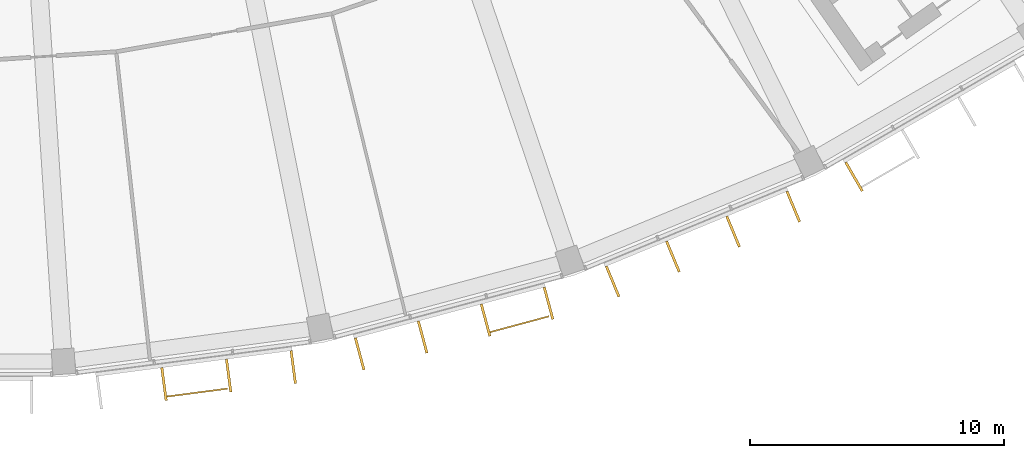
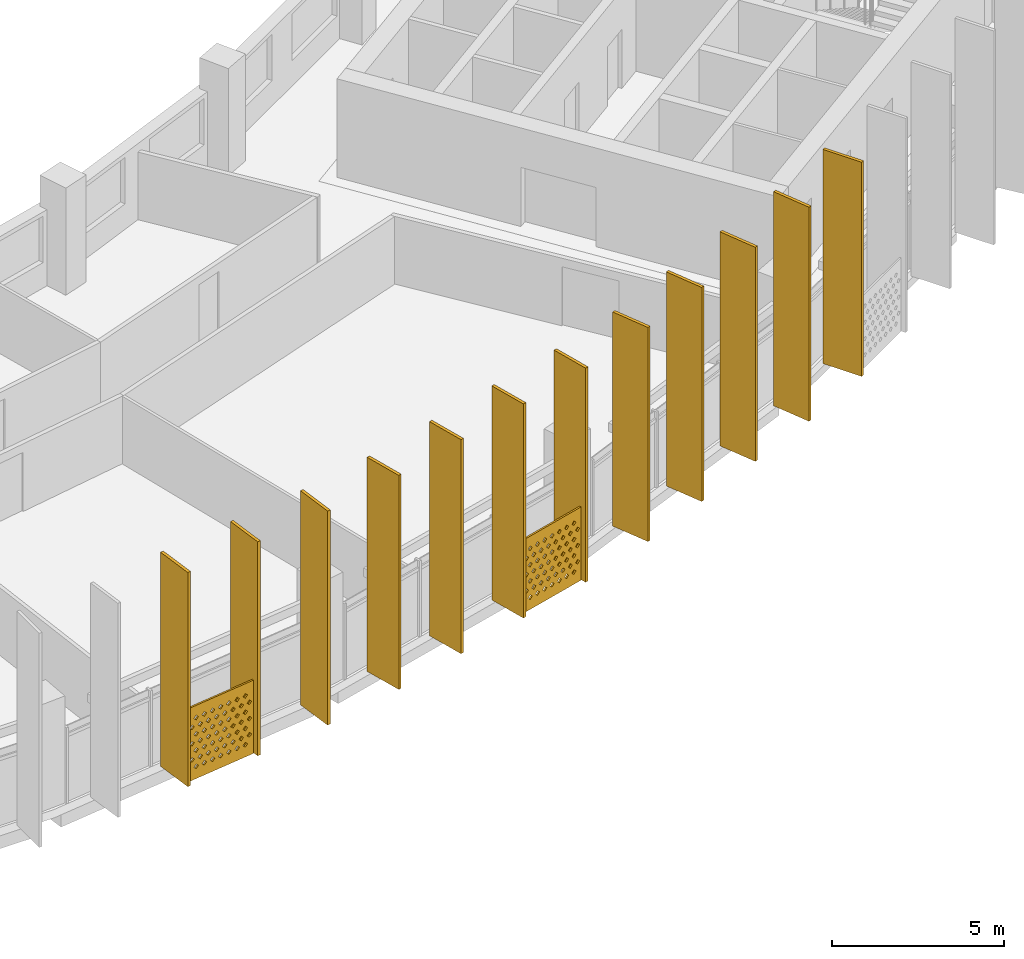
# One storey, part 26 of 28: 14 shading devices.
"""IFC4 building model written with IfcOpenShell, lengths in metres."""

from ifc_helpers import new_model, si_unit, direction, frame, origin, origin_2d, place, context, subcontext, project, spatial, polyline, rectangle, outline, extrude, material, material_profile, profile_set, type_object, element, save


model = new_model("IFC4")

# Units and contexts
model_context = context("Model", 3, precision=1e-05, world=origin(), true_north=direction((0.0, 1.0)))
body_context = subcontext(model_context, "Body", "Model", "MODEL_VIEW")
ifc_project = project(units=[si_unit("LENGTHUNIT", "METRE"), si_unit("AREAUNIT", "SQUARE_METRE"), si_unit("VOLUMEUNIT", "CUBIC_METRE"), si_unit("PLANEANGLEUNIT", "RADIAN"), si_unit("MASSUNIT", "GRAM", prefix="KILO")], contexts=[model_context])

# Site, building, storey
site_placement = place(None, origin())
site = spatial("IfcSite", under=ifc_project, at=site_placement, CompositionType="ELEMENT")
building_placement = place(site_placement, origin())
building = spatial("IfcBuilding", under=site, at=building_placement, Name="Qamariyya Broadcast Tower", CompositionType="ELEMENT")
storey_placement = place(building_placement, frame((0.0, 0.0, 265.699951171875)))
storey = spatial("IfcBuildingStorey", under=building, at=storey_placement, Name="L64", CompositionType="ELEMENT", Elevation=265.699951171875)

# Shading devices
ifc_material_1 = material(Name="Perforated glazed terracotta", Category="masonry")
ifc_material_profile_1 = material_profile(ifc_material_1, outline(polyline([(-1.199951171875, -1.300048828125), (1.199951171875, -1.300048828125), (1.199951171875, 1.300048828125), (-1.199951171875, 1.300048828125), (-1.199951171875, -1.300048828125)]), holes=[polyline([(-0.81494140625, -0.86669921875), (-0.89990234375, -0.78173828125), (-0.985107421875, -0.86669921875), (-0.89990234375, -0.95166015625), (-0.81494140625, -0.86669921875)]), polyline([(-0.514892578125, -0.86669921875), (-0.60009765625, -0.78173828125), (-0.68505859375, -0.86669921875), (-0.60009765625, -0.95166015625), (-0.514892578125, -0.86669921875)]), polyline([(-0.215087890625, -0.86669921875), (-0.300048828125, -0.78173828125), (-0.385009765625, -0.86669921875), (-0.300048828125, -0.95166015625), (-0.215087890625, -0.86669921875)]), polyline([(0.0849609375, -0.86669921875), (0.0, -0.78173828125), (-0.0849609375, -0.86669921875), (0.0, -0.95166015625), (0.0849609375, -0.86669921875)]), polyline([(0.385009765625, -0.86669921875), (0.300048828125, -0.78173828125), (0.215087890625, -0.86669921875), (0.300048828125, -0.95166015625), (0.385009765625, -0.86669921875)]), polyline([(0.68505859375, -0.86669921875), (0.60009765625, -0.78173828125), (0.514892578125, -0.86669921875), (0.60009765625, -0.95166015625), (0.68505859375, -0.86669921875)]), polyline([(0.985107421875, -0.86669921875), (0.89990234375, -0.78173828125), (0.81494140625, -0.86669921875), (0.89990234375, -0.95166015625), (0.985107421875, -0.86669921875)]), polyline([(-0.965087890625, -0.577880859375), (-1.050048828125, -0.49267578125), (-1.135009765625, -0.577880859375), (-1.050048828125, -0.662841796875), (-0.965087890625, -0.577880859375)]), polyline([(-0.6650390625, -0.577880859375), (-0.75, -0.49267578125), (-0.8349609375, -0.577880859375), (-0.75, -0.662841796875), (-0.6650390625, -0.577880859375)]), polyline([(-0.364990234375, -0.577880859375), (-0.449951171875, -0.49267578125), (-0.534912109375, -0.577880859375), (-0.449951171875, -0.662841796875), (-0.364990234375, -0.577880859375)]), polyline([(-0.06494140625, -0.577880859375), (-0.14990234375, -0.49267578125), (-0.235107421875, -0.577880859375), (-0.14990234375, -0.662841796875), (-0.06494140625, -0.577880859375)]), polyline([(0.235107421875, -0.577880859375), (0.14990234375, -0.49267578125), (0.06494140625, -0.577880859375), (0.14990234375, -0.662841796875), (0.235107421875, -0.577880859375)]), polyline([(0.534912109375, -0.577880859375), (0.449951171875, -0.49267578125), (0.364990234375, -0.577880859375), (0.449951171875, -0.662841796875), (0.534912109375, -0.577880859375)]), polyline([(0.8349609375, -0.577880859375), (0.75, -0.49267578125), (0.6650390625, -0.577880859375), (0.75, -0.662841796875), (0.8349609375, -0.577880859375)]), polyline([(1.135009765625, -0.577880859375), (1.050048828125, -0.49267578125), (0.965087890625, -0.577880859375), (1.050048828125, -0.662841796875), (1.135009765625, -0.577880859375)]), polyline([(-0.81494140625, -0.288818359375), (-0.89990234375, -0.203857421875), (-0.985107421875, -0.288818359375), (-0.89990234375, -0.373779296875), (-0.81494140625, -0.288818359375)]), polyline([(-0.514892578125, -0.288818359375), (-0.60009765625, -0.203857421875), (-0.68505859375, -0.288818359375), (-0.60009765625, -0.373779296875), (-0.514892578125, -0.288818359375)]), polyline([(-0.215087890625, -0.288818359375), (-0.300048828125, -0.203857421875), (-0.385009765625, -0.288818359375), (-0.300048828125, -0.373779296875), (-0.215087890625, -0.288818359375)]), polyline([(0.0849609375, -0.288818359375), (0.0, -0.203857421875), (-0.0849609375, -0.288818359375), (0.0, -0.373779296875), (0.0849609375, -0.288818359375)]), polyline([(0.385009765625, -0.288818359375), (0.300048828125, -0.203857421875), (0.215087890625, -0.288818359375), (0.300048828125, -0.373779296875), (0.385009765625, -0.288818359375)]), polyline([(0.68505859375, -0.288818359375), (0.60009765625, -0.203857421875), (0.514892578125, -0.288818359375), (0.60009765625, -0.373779296875), (0.68505859375, -0.288818359375)]), polyline([(0.985107421875, -0.288818359375), (0.89990234375, -0.203857421875), (0.81494140625, -0.288818359375), (0.89990234375, -0.373779296875), (0.985107421875, -0.288818359375)]), polyline([(-0.965087890625, 0.0), (-1.050048828125, 0.0849609375), (-1.135009765625, 0.0), (-1.050048828125, -0.0849609375), (-0.965087890625, 0.0)]), polyline([(-0.6650390625, 0.0), (-0.75, 0.0849609375), (-0.8349609375, 0.0), (-0.75, -0.0849609375), (-0.6650390625, 0.0)]), polyline([(-0.364990234375, 0.0), (-0.449951171875, 0.0849609375), (-0.534912109375, 0.0), (-0.449951171875, -0.0849609375), (-0.364990234375, 0.0)]), polyline([(-0.06494140625, 0.0), (-0.14990234375, 0.0849609375), (-0.235107421875, 0.0), (-0.14990234375, -0.0849609375), (-0.06494140625, 0.0)]), polyline([(0.235107421875, 0.0), (0.14990234375, 0.0849609375), (0.06494140625, 0.0), (0.14990234375, -0.0849609375), (0.235107421875, 0.0)]), polyline([(0.534912109375, 0.0), (0.449951171875, 0.0849609375), (0.364990234375, 0.0), (0.449951171875, -0.0849609375), (0.534912109375, 0.0)]), polyline([(0.8349609375, 0.0), (0.75, 0.0849609375), (0.6650390625, 0.0), (0.75, -0.0849609375), (0.8349609375, 0.0)]), polyline([(1.135009765625, 0.0), (1.050048828125, 0.0849609375), (0.965087890625, 0.0), (1.050048828125, -0.0849609375), (1.135009765625, 0.0)]), polyline([(-0.81494140625, 0.288818359375), (-0.89990234375, 0.373779296875), (-0.985107421875, 0.288818359375), (-0.89990234375, 0.203857421875), (-0.81494140625, 0.288818359375)]), polyline([(-0.514892578125, 0.288818359375), (-0.60009765625, 0.373779296875), (-0.68505859375, 0.288818359375), (-0.60009765625, 0.203857421875), (-0.514892578125, 0.288818359375)]), polyline([(-0.215087890625, 0.288818359375), (-0.300048828125, 0.373779296875), (-0.385009765625, 0.288818359375), (-0.300048828125, 0.203857421875), (-0.215087890625, 0.288818359375)]), polyline([(0.0849609375, 0.288818359375), (0.0, 0.373779296875), (-0.0849609375, 0.288818359375), (0.0, 0.203857421875), (0.0849609375, 0.288818359375)]), polyline([(0.385009765625, 0.288818359375), (0.300048828125, 0.373779296875), (0.215087890625, 0.288818359375), (0.300048828125, 0.203857421875), (0.385009765625, 0.288818359375)]), polyline([(0.68505859375, 0.288818359375), (0.60009765625, 0.373779296875), (0.514892578125, 0.288818359375), (0.60009765625, 0.203857421875), (0.68505859375, 0.288818359375)]), polyline([(0.985107421875, 0.288818359375), (0.89990234375, 0.373779296875), (0.81494140625, 0.288818359375), (0.89990234375, 0.203857421875), (0.985107421875, 0.288818359375)]), polyline([(-0.965087890625, 0.577880859375), (-1.050048828125, 0.662841796875), (-1.135009765625, 0.577880859375), (-1.050048828125, 0.49267578125), (-0.965087890625, 0.577880859375)]), polyline([(-0.6650390625, 0.577880859375), (-0.75, 0.662841796875), (-0.8349609375, 0.577880859375), (-0.75, 0.49267578125), (-0.6650390625, 0.577880859375)]), polyline([(-0.364990234375, 0.577880859375), (-0.449951171875, 0.662841796875), (-0.534912109375, 0.577880859375), (-0.449951171875, 0.49267578125), (-0.364990234375, 0.577880859375)]), polyline([(-0.06494140625, 0.577880859375), (-0.14990234375, 0.662841796875), (-0.235107421875, 0.577880859375), (-0.14990234375, 0.49267578125), (-0.06494140625, 0.577880859375)]), polyline([(0.235107421875, 0.577880859375), (0.14990234375, 0.662841796875), (0.06494140625, 0.577880859375), (0.14990234375, 0.49267578125), (0.235107421875, 0.577880859375)]), polyline([(0.534912109375, 0.577880859375), (0.449951171875, 0.662841796875), (0.364990234375, 0.577880859375), (0.449951171875, 0.49267578125), (0.534912109375, 0.577880859375)]), polyline([(0.8349609375, 0.577880859375), (0.75, 0.662841796875), (0.6650390625, 0.577880859375), (0.75, 0.49267578125), (0.8349609375, 0.577880859375)]), polyline([(1.135009765625, 0.577880859375), (1.050048828125, 0.662841796875), (0.965087890625, 0.577880859375), (1.050048828125, 0.49267578125), (1.135009765625, 0.577880859375)]), polyline([(-0.81494140625, 0.86669921875), (-0.89990234375, 0.95166015625), (-0.985107421875, 0.86669921875), (-0.89990234375, 0.78173828125), (-0.81494140625, 0.86669921875)]), polyline([(-0.514892578125, 0.86669921875), (-0.60009765625, 0.95166015625), (-0.68505859375, 0.86669921875), (-0.60009765625, 0.78173828125), (-0.514892578125, 0.86669921875)]), polyline([(-0.215087890625, 0.86669921875), (-0.300048828125, 0.95166015625), (-0.385009765625, 0.86669921875), (-0.300048828125, 0.78173828125), (-0.215087890625, 0.86669921875)]), polyline([(0.0849609375, 0.86669921875), (0.0, 0.95166015625), (-0.0849609375, 0.86669921875), (0.0, 0.78173828125), (0.0849609375, 0.86669921875)]), polyline([(0.385009765625, 0.86669921875), (0.300048828125, 0.95166015625), (0.215087890625, 0.86669921875), (0.300048828125, 0.78173828125), (0.385009765625, 0.86669921875)]), polyline([(0.68505859375, 0.86669921875), (0.60009765625, 0.95166015625), (0.514892578125, 0.86669921875), (0.60009765625, 0.78173828125), (0.68505859375, 0.86669921875)]), polyline([(0.985107421875, 0.86669921875), (0.89990234375, 0.95166015625), (0.81494140625, 0.86669921875), (0.89990234375, 0.78173828125), (0.985107421875, 0.86669921875)])]))
ifc_profile_set_1 = profile_set([ifc_material_profile_1], Name="Perforated glazed terracotta")
shading_device_type_1 = type_object("IfcShadingDeviceType", Name="Perforated terracotta screen 2400 x 2600", PredefinedType="USERDEFINED", material=ifc_profile_set_1)
shading_device_1_placement = place(storey_placement, frame((10.33984375, -78.776611328125, 1.35009765625), z_axis=(0.1300340368, -0.991509530601, 0.0), x_axis=(0.991509530601, 0.1300340368, 0.0)))
element("IfcShadingDevice", 1, at=shading_device_1_placement, inside=storey, type_object=shading_device_type_1, Name="e-scr-L64-08-1", ObjectType="SCREEN", PredefinedType="USERDEFINED", context=body_context, shape_type="SweptSolid", body=[
    extrude(outline(polyline([(-1.199951171875, -1.300048828125), (1.199951171875, -1.300048828125), (1.199951171875, 1.300048828125), (-1.199951171875, 1.300048828125), (-1.199951171875, -1.300048828125)]), holes=[polyline([(-0.81494140625, -0.86669921875), (-0.89990234375, -0.78173828125), (-0.985107421875, -0.86669921875), (-0.89990234375, -0.95166015625), (-0.81494140625, -0.86669921875)]), polyline([(-0.514892578125, -0.86669921875), (-0.60009765625, -0.78173828125), (-0.68505859375, -0.86669921875), (-0.60009765625, -0.95166015625), (-0.514892578125, -0.86669921875)]), polyline([(-0.215087890625, -0.86669921875), (-0.300048828125, -0.78173828125), (-0.385009765625, -0.86669921875), (-0.300048828125, -0.95166015625), (-0.215087890625, -0.86669921875)]), polyline([(0.0849609375, -0.86669921875), (0.0, -0.78173828125), (-0.0849609375, -0.86669921875), (0.0, -0.95166015625), (0.0849609375, -0.86669921875)]), polyline([(0.385009765625, -0.86669921875), (0.300048828125, -0.78173828125), (0.215087890625, -0.86669921875), (0.300048828125, -0.95166015625), (0.385009765625, -0.86669921875)]), polyline([(0.68505859375, -0.86669921875), (0.60009765625, -0.78173828125), (0.514892578125, -0.86669921875), (0.60009765625, -0.95166015625), (0.68505859375, -0.86669921875)]), polyline([(0.985107421875, -0.86669921875), (0.89990234375, -0.78173828125), (0.81494140625, -0.86669921875), (0.89990234375, -0.95166015625), (0.985107421875, -0.86669921875)]), polyline([(-0.965087890625, -0.577880859375), (-1.050048828125, -0.49267578125), (-1.135009765625, -0.577880859375), (-1.050048828125, -0.662841796875), (-0.965087890625, -0.577880859375)]), polyline([(-0.6650390625, -0.577880859375), (-0.75, -0.49267578125), (-0.8349609375, -0.577880859375), (-0.75, -0.662841796875), (-0.6650390625, -0.577880859375)]), polyline([(-0.364990234375, -0.577880859375), (-0.449951171875, -0.49267578125), (-0.534912109375, -0.577880859375), (-0.449951171875, -0.662841796875), (-0.364990234375, -0.577880859375)]), polyline([(-0.06494140625, -0.577880859375), (-0.14990234375, -0.49267578125), (-0.235107421875, -0.577880859375), (-0.14990234375, -0.662841796875), (-0.06494140625, -0.577880859375)]), polyline([(0.235107421875, -0.577880859375), (0.14990234375, -0.49267578125), (0.06494140625, -0.577880859375), (0.14990234375, -0.662841796875), (0.235107421875, -0.577880859375)]), polyline([(0.534912109375, -0.577880859375), (0.449951171875, -0.49267578125), (0.364990234375, -0.577880859375), (0.449951171875, -0.662841796875), (0.534912109375, -0.577880859375)]), polyline([(0.8349609375, -0.577880859375), (0.75, -0.49267578125), (0.6650390625, -0.577880859375), (0.75, -0.662841796875), (0.8349609375, -0.577880859375)]), polyline([(1.135009765625, -0.577880859375), (1.050048828125, -0.49267578125), (0.965087890625, -0.577880859375), (1.050048828125, -0.662841796875), (1.135009765625, -0.577880859375)]), polyline([(-0.81494140625, -0.288818359375), (-0.89990234375, -0.203857421875), (-0.985107421875, -0.288818359375), (-0.89990234375, -0.373779296875), (-0.81494140625, -0.288818359375)]), polyline([(-0.514892578125, -0.288818359375), (-0.60009765625, -0.203857421875), (-0.68505859375, -0.288818359375), (-0.60009765625, -0.373779296875), (-0.514892578125, -0.288818359375)]), polyline([(-0.215087890625, -0.288818359375), (-0.300048828125, -0.203857421875), (-0.385009765625, -0.288818359375), (-0.300048828125, -0.373779296875), (-0.215087890625, -0.288818359375)]), polyline([(0.0849609375, -0.288818359375), (0.0, -0.203857421875), (-0.0849609375, -0.288818359375), (0.0, -0.373779296875), (0.0849609375, -0.288818359375)]), polyline([(0.385009765625, -0.288818359375), (0.300048828125, -0.203857421875), (0.215087890625, -0.288818359375), (0.300048828125, -0.373779296875), (0.385009765625, -0.288818359375)]), polyline([(0.68505859375, -0.288818359375), (0.60009765625, -0.203857421875), (0.514892578125, -0.288818359375), (0.60009765625, -0.373779296875), (0.68505859375, -0.288818359375)]), polyline([(0.985107421875, -0.288818359375), (0.89990234375, -0.203857421875), (0.81494140625, -0.288818359375), (0.89990234375, -0.373779296875), (0.985107421875, -0.288818359375)]), polyline([(-0.965087890625, 0.0), (-1.050048828125, 0.0849609375), (-1.135009765625, 0.0), (-1.050048828125, -0.0849609375), (-0.965087890625, 0.0)]), polyline([(-0.6650390625, 0.0), (-0.75, 0.0849609375), (-0.8349609375, 0.0), (-0.75, -0.0849609375), (-0.6650390625, 0.0)]), polyline([(-0.364990234375, 0.0), (-0.449951171875, 0.0849609375), (-0.534912109375, 0.0), (-0.449951171875, -0.0849609375), (-0.364990234375, 0.0)]), polyline([(-0.06494140625, 0.0), (-0.14990234375, 0.0849609375), (-0.235107421875, 0.0), (-0.14990234375, -0.0849609375), (-0.06494140625, 0.0)]), polyline([(0.235107421875, 0.0), (0.14990234375, 0.0849609375), (0.06494140625, 0.0), (0.14990234375, -0.0849609375), (0.235107421875, 0.0)]), polyline([(0.534912109375, 0.0), (0.449951171875, 0.0849609375), (0.364990234375, 0.0), (0.449951171875, -0.0849609375), (0.534912109375, 0.0)]), polyline([(0.8349609375, 0.0), (0.75, 0.0849609375), (0.6650390625, 0.0), (0.75, -0.0849609375), (0.8349609375, 0.0)]), polyline([(1.135009765625, 0.0), (1.050048828125, 0.0849609375), (0.965087890625, 0.0), (1.050048828125, -0.0849609375), (1.135009765625, 0.0)]), polyline([(-0.81494140625, 0.288818359375), (-0.89990234375, 0.373779296875), (-0.985107421875, 0.288818359375), (-0.89990234375, 0.203857421875), (-0.81494140625, 0.288818359375)]), polyline([(-0.514892578125, 0.288818359375), (-0.60009765625, 0.373779296875), (-0.68505859375, 0.288818359375), (-0.60009765625, 0.203857421875), (-0.514892578125, 0.288818359375)]), polyline([(-0.215087890625, 0.288818359375), (-0.300048828125, 0.373779296875), (-0.385009765625, 0.288818359375), (-0.300048828125, 0.203857421875), (-0.215087890625, 0.288818359375)]), polyline([(0.0849609375, 0.288818359375), (0.0, 0.373779296875), (-0.0849609375, 0.288818359375), (0.0, 0.203857421875), (0.0849609375, 0.288818359375)]), polyline([(0.385009765625, 0.288818359375), (0.300048828125, 0.373779296875), (0.215087890625, 0.288818359375), (0.300048828125, 0.203857421875), (0.385009765625, 0.288818359375)]), polyline([(0.68505859375, 0.288818359375), (0.60009765625, 0.373779296875), (0.514892578125, 0.288818359375), (0.60009765625, 0.203857421875), (0.68505859375, 0.288818359375)]), polyline([(0.985107421875, 0.288818359375), (0.89990234375, 0.373779296875), (0.81494140625, 0.288818359375), (0.89990234375, 0.203857421875), (0.985107421875, 0.288818359375)]), polyline([(-0.965087890625, 0.577880859375), (-1.050048828125, 0.662841796875), (-1.135009765625, 0.577880859375), (-1.050048828125, 0.49267578125), (-0.965087890625, 0.577880859375)]), polyline([(-0.6650390625, 0.577880859375), (-0.75, 0.662841796875), (-0.8349609375, 0.577880859375), (-0.75, 0.49267578125), (-0.6650390625, 0.577880859375)]), polyline([(-0.364990234375, 0.577880859375), (-0.449951171875, 0.662841796875), (-0.534912109375, 0.577880859375), (-0.449951171875, 0.49267578125), (-0.364990234375, 0.577880859375)]), polyline([(-0.06494140625, 0.577880859375), (-0.14990234375, 0.662841796875), (-0.235107421875, 0.577880859375), (-0.14990234375, 0.49267578125), (-0.06494140625, 0.577880859375)]), polyline([(0.235107421875, 0.577880859375), (0.14990234375, 0.662841796875), (0.06494140625, 0.577880859375), (0.14990234375, 0.49267578125), (0.235107421875, 0.577880859375)]), polyline([(0.534912109375, 0.577880859375), (0.449951171875, 0.662841796875), (0.364990234375, 0.577880859375), (0.449951171875, 0.49267578125), (0.534912109375, 0.577880859375)]), polyline([(0.8349609375, 0.577880859375), (0.75, 0.662841796875), (0.6650390625, 0.577880859375), (0.75, 0.49267578125), (0.8349609375, 0.577880859375)]), polyline([(1.135009765625, 0.577880859375), (1.050048828125, 0.662841796875), (0.965087890625, 0.577880859375), (1.050048828125, 0.49267578125), (1.135009765625, 0.577880859375)]), polyline([(-0.81494140625, 0.86669921875), (-0.89990234375, 0.95166015625), (-0.985107421875, 0.86669921875), (-0.89990234375, 0.78173828125), (-0.81494140625, 0.86669921875)]), polyline([(-0.514892578125, 0.86669921875), (-0.60009765625, 0.95166015625), (-0.68505859375, 0.86669921875), (-0.60009765625, 0.78173828125), (-0.514892578125, 0.86669921875)]), polyline([(-0.215087890625, 0.86669921875), (-0.300048828125, 0.95166015625), (-0.385009765625, 0.86669921875), (-0.300048828125, 0.78173828125), (-0.215087890625, 0.86669921875)]), polyline([(0.0849609375, 0.86669921875), (0.0, 0.95166015625), (-0.0849609375, 0.86669921875), (0.0, 0.78173828125), (0.0849609375, 0.86669921875)]), polyline([(0.385009765625, 0.86669921875), (0.300048828125, 0.95166015625), (0.215087890625, 0.86669921875), (0.300048828125, 0.78173828125), (0.385009765625, 0.86669921875)]), polyline([(0.68505859375, 0.86669921875), (0.60009765625, 0.95166015625), (0.514892578125, 0.86669921875), (0.60009765625, 0.78173828125), (0.68505859375, 0.86669921875)]), polyline([(0.985107421875, 0.86669921875), (0.89990234375, 0.95166015625), (0.81494140625, 0.86669921875), (0.89990234375, 0.78173828125), (0.985107421875, 0.86669921875)])]), origin(), (0.0, 0.0, 1.0), 0.06005859375),
])
shading_device_2_placement = place(storey_placement, frame((23.008544921875, -76.08984375, 1.35009765625), z_axis=(0.259682438219, -0.965694067125, 0.0), x_axis=(0.965694067125, 0.259682438219, 0.0)))
element("IfcShadingDevice", 2, at=shading_device_2_placement, inside=storey, type_object=shading_device_type_1, Name="e-scr-L64-09-2", ObjectType="SCREEN", PredefinedType="USERDEFINED", context=body_context, shape_type="SweptSolid", body=[
    extrude(outline(polyline([(-1.199951171875, -1.300048828125), (1.199951171875, -1.300048828125), (1.199951171875, 1.300048828125), (-1.199951171875, 1.300048828125), (-1.199951171875, -1.300048828125)]), holes=[polyline([(-0.81494140625, -0.86669921875), (-0.89990234375, -0.78173828125), (-0.985107421875, -0.86669921875), (-0.89990234375, -0.95166015625), (-0.81494140625, -0.86669921875)]), polyline([(-0.514892578125, -0.86669921875), (-0.60009765625, -0.78173828125), (-0.68505859375, -0.86669921875), (-0.60009765625, -0.95166015625), (-0.514892578125, -0.86669921875)]), polyline([(-0.215087890625, -0.86669921875), (-0.300048828125, -0.78173828125), (-0.385009765625, -0.86669921875), (-0.300048828125, -0.95166015625), (-0.215087890625, -0.86669921875)]), polyline([(0.0849609375, -0.86669921875), (0.0, -0.78173828125), (-0.0849609375, -0.86669921875), (0.0, -0.95166015625), (0.0849609375, -0.86669921875)]), polyline([(0.385009765625, -0.86669921875), (0.300048828125, -0.78173828125), (0.215087890625, -0.86669921875), (0.300048828125, -0.95166015625), (0.385009765625, -0.86669921875)]), polyline([(0.68505859375, -0.86669921875), (0.60009765625, -0.78173828125), (0.514892578125, -0.86669921875), (0.60009765625, -0.95166015625), (0.68505859375, -0.86669921875)]), polyline([(0.985107421875, -0.86669921875), (0.89990234375, -0.78173828125), (0.81494140625, -0.86669921875), (0.89990234375, -0.95166015625), (0.985107421875, -0.86669921875)]), polyline([(-0.965087890625, -0.577880859375), (-1.050048828125, -0.49267578125), (-1.135009765625, -0.577880859375), (-1.050048828125, -0.662841796875), (-0.965087890625, -0.577880859375)]), polyline([(-0.6650390625, -0.577880859375), (-0.75, -0.49267578125), (-0.8349609375, -0.577880859375), (-0.75, -0.662841796875), (-0.6650390625, -0.577880859375)]), polyline([(-0.364990234375, -0.577880859375), (-0.449951171875, -0.49267578125), (-0.534912109375, -0.577880859375), (-0.449951171875, -0.662841796875), (-0.364990234375, -0.577880859375)]), polyline([(-0.06494140625, -0.577880859375), (-0.14990234375, -0.49267578125), (-0.235107421875, -0.577880859375), (-0.14990234375, -0.662841796875), (-0.06494140625, -0.577880859375)]), polyline([(0.235107421875, -0.577880859375), (0.14990234375, -0.49267578125), (0.06494140625, -0.577880859375), (0.14990234375, -0.662841796875), (0.235107421875, -0.577880859375)]), polyline([(0.534912109375, -0.577880859375), (0.449951171875, -0.49267578125), (0.364990234375, -0.577880859375), (0.449951171875, -0.662841796875), (0.534912109375, -0.577880859375)]), polyline([(0.8349609375, -0.577880859375), (0.75, -0.49267578125), (0.6650390625, -0.577880859375), (0.75, -0.662841796875), (0.8349609375, -0.577880859375)]), polyline([(1.135009765625, -0.577880859375), (1.050048828125, -0.49267578125), (0.965087890625, -0.577880859375), (1.050048828125, -0.662841796875), (1.135009765625, -0.577880859375)]), polyline([(-0.81494140625, -0.288818359375), (-0.89990234375, -0.203857421875), (-0.985107421875, -0.288818359375), (-0.89990234375, -0.373779296875), (-0.81494140625, -0.288818359375)]), polyline([(-0.514892578125, -0.288818359375), (-0.60009765625, -0.203857421875), (-0.68505859375, -0.288818359375), (-0.60009765625, -0.373779296875), (-0.514892578125, -0.288818359375)]), polyline([(-0.215087890625, -0.288818359375), (-0.300048828125, -0.203857421875), (-0.385009765625, -0.288818359375), (-0.300048828125, -0.373779296875), (-0.215087890625, -0.288818359375)]), polyline([(0.0849609375, -0.288818359375), (0.0, -0.203857421875), (-0.0849609375, -0.288818359375), (0.0, -0.373779296875), (0.0849609375, -0.288818359375)]), polyline([(0.385009765625, -0.288818359375), (0.300048828125, -0.203857421875), (0.215087890625, -0.288818359375), (0.300048828125, -0.373779296875), (0.385009765625, -0.288818359375)]), polyline([(0.68505859375, -0.288818359375), (0.60009765625, -0.203857421875), (0.514892578125, -0.288818359375), (0.60009765625, -0.373779296875), (0.68505859375, -0.288818359375)]), polyline([(0.985107421875, -0.288818359375), (0.89990234375, -0.203857421875), (0.81494140625, -0.288818359375), (0.89990234375, -0.373779296875), (0.985107421875, -0.288818359375)]), polyline([(-0.965087890625, 0.0), (-1.050048828125, 0.0849609375), (-1.135009765625, 0.0), (-1.050048828125, -0.0849609375), (-0.965087890625, 0.0)]), polyline([(-0.6650390625, 0.0), (-0.75, 0.0849609375), (-0.8349609375, 0.0), (-0.75, -0.0849609375), (-0.6650390625, 0.0)]), polyline([(-0.364990234375, 0.0), (-0.449951171875, 0.0849609375), (-0.534912109375, 0.0), (-0.449951171875, -0.0849609375), (-0.364990234375, 0.0)]), polyline([(-0.06494140625, 0.0), (-0.14990234375, 0.0849609375), (-0.235107421875, 0.0), (-0.14990234375, -0.0849609375), (-0.06494140625, 0.0)]), polyline([(0.235107421875, 0.0), (0.14990234375, 0.0849609375), (0.06494140625, 0.0), (0.14990234375, -0.0849609375), (0.235107421875, 0.0)]), polyline([(0.534912109375, 0.0), (0.449951171875, 0.0849609375), (0.364990234375, 0.0), (0.449951171875, -0.0849609375), (0.534912109375, 0.0)]), polyline([(0.8349609375, 0.0), (0.75, 0.0849609375), (0.6650390625, 0.0), (0.75, -0.0849609375), (0.8349609375, 0.0)]), polyline([(1.135009765625, 0.0), (1.050048828125, 0.0849609375), (0.965087890625, 0.0), (1.050048828125, -0.0849609375), (1.135009765625, 0.0)]), polyline([(-0.81494140625, 0.288818359375), (-0.89990234375, 0.373779296875), (-0.985107421875, 0.288818359375), (-0.89990234375, 0.203857421875), (-0.81494140625, 0.288818359375)]), polyline([(-0.514892578125, 0.288818359375), (-0.60009765625, 0.373779296875), (-0.68505859375, 0.288818359375), (-0.60009765625, 0.203857421875), (-0.514892578125, 0.288818359375)]), polyline([(-0.215087890625, 0.288818359375), (-0.300048828125, 0.373779296875), (-0.385009765625, 0.288818359375), (-0.300048828125, 0.203857421875), (-0.215087890625, 0.288818359375)]), polyline([(0.0849609375, 0.288818359375), (0.0, 0.373779296875), (-0.0849609375, 0.288818359375), (0.0, 0.203857421875), (0.0849609375, 0.288818359375)]), polyline([(0.385009765625, 0.288818359375), (0.300048828125, 0.373779296875), (0.215087890625, 0.288818359375), (0.300048828125, 0.203857421875), (0.385009765625, 0.288818359375)]), polyline([(0.68505859375, 0.288818359375), (0.60009765625, 0.373779296875), (0.514892578125, 0.288818359375), (0.60009765625, 0.203857421875), (0.68505859375, 0.288818359375)]), polyline([(0.985107421875, 0.288818359375), (0.89990234375, 0.373779296875), (0.81494140625, 0.288818359375), (0.89990234375, 0.203857421875), (0.985107421875, 0.288818359375)]), polyline([(-0.965087890625, 0.577880859375), (-1.050048828125, 0.662841796875), (-1.135009765625, 0.577880859375), (-1.050048828125, 0.49267578125), (-0.965087890625, 0.577880859375)]), polyline([(-0.6650390625, 0.577880859375), (-0.75, 0.662841796875), (-0.8349609375, 0.577880859375), (-0.75, 0.49267578125), (-0.6650390625, 0.577880859375)]), polyline([(-0.364990234375, 0.577880859375), (-0.449951171875, 0.662841796875), (-0.534912109375, 0.577880859375), (-0.449951171875, 0.49267578125), (-0.364990234375, 0.577880859375)]), polyline([(-0.06494140625, 0.577880859375), (-0.14990234375, 0.662841796875), (-0.235107421875, 0.577880859375), (-0.14990234375, 0.49267578125), (-0.06494140625, 0.577880859375)]), polyline([(0.235107421875, 0.577880859375), (0.14990234375, 0.662841796875), (0.06494140625, 0.577880859375), (0.14990234375, 0.49267578125), (0.235107421875, 0.577880859375)]), polyline([(0.534912109375, 0.577880859375), (0.449951171875, 0.662841796875), (0.364990234375, 0.577880859375), (0.449951171875, 0.49267578125), (0.534912109375, 0.577880859375)]), polyline([(0.8349609375, 0.577880859375), (0.75, 0.662841796875), (0.6650390625, 0.577880859375), (0.75, 0.49267578125), (0.8349609375, 0.577880859375)]), polyline([(1.135009765625, 0.577880859375), (1.050048828125, 0.662841796875), (0.965087890625, 0.577880859375), (1.050048828125, 0.49267578125), (1.135009765625, 0.577880859375)]), polyline([(-0.81494140625, 0.86669921875), (-0.89990234375, 0.95166015625), (-0.985107421875, 0.86669921875), (-0.89990234375, 0.78173828125), (-0.81494140625, 0.86669921875)]), polyline([(-0.514892578125, 0.86669921875), (-0.60009765625, 0.95166015625), (-0.68505859375, 0.86669921875), (-0.60009765625, 0.78173828125), (-0.514892578125, 0.86669921875)]), polyline([(-0.215087890625, 0.86669921875), (-0.300048828125, 0.95166015625), (-0.385009765625, 0.86669921875), (-0.300048828125, 0.78173828125), (-0.215087890625, 0.86669921875)]), polyline([(0.0849609375, 0.86669921875), (0.0, 0.95166015625), (-0.0849609375, 0.86669921875), (0.0, 0.78173828125), (0.0849609375, 0.86669921875)]), polyline([(0.385009765625, 0.86669921875), (0.300048828125, 0.95166015625), (0.215087890625, 0.86669921875), (0.300048828125, 0.78173828125), (0.385009765625, 0.86669921875)]), polyline([(0.68505859375, 0.86669921875), (0.60009765625, 0.95166015625), (0.514892578125, 0.86669921875), (0.60009765625, 0.78173828125), (0.68505859375, 0.86669921875)]), polyline([(0.985107421875, 0.86669921875), (0.89990234375, 0.95166015625), (0.81494140625, 0.86669921875), (0.89990234375, 0.78173828125), (0.985107421875, 0.86669921875)])]), origin(), (0.0, 0.0, 1.0), 0.06005859375),
])
ifc_material_2 = material(Name="Glazed terracotta", Category="masonry")
ifc_material_profile_2 = material_profile(ifc_material_2, rectangle(XDim=1.300048828125, YDim=0.10009765625, at=origin_2d()))
ifc_profile_set_2 = profile_set([ifc_material_profile_2], Name="Glazed terracotta")
shading_device_type_2 = type_object("IfcShadingDeviceType", Name="Terracotta fin 100 x 1300", PredefinedType="USERDEFINED", material=ifc_profile_set_2)
for number, where, z_axis, x_axis, name in (
    (3, (9.0390625, -78.473876953125, 0.0), (0.0, 0.0, 1.0), (0.13052619222, -0.991444861374, 0.0), "e-fin-L64-08-1"),
    (4, (11.579345703125, -78.139404296875, 0.0), (0.0, 0.0, 1.0), (0.13052619222, -0.991444861374, 0.0), "e-fin-L64-08-2"),
    (5, (14.11962890625, -77.804931640625, 0.0), (0.0, 0.0, 1.0), (0.13052619222, -0.991444861374, 0.0), "e-fin-L64-08-3"),
    (6, (16.729736328125, -77.28564453125, 0.0), (0.0, 0.0, 1.0), (0.258819045103, -0.965925826289, 0.0), "e-fin-L64-09-0"),
    (7, (19.20458984375, -76.62255859375, 0.0), (0.0, 0.0, 1.0), (0.258819045103, -0.965925826289, 0.0), "e-fin-L64-09-1"),
    (8, (21.679443359375, -75.95947265625, 0.0), (0.0, 0.0, 1.0), (0.258819045103, -0.965925826289, 0.0), "e-fin-L64-09-2"),
    (9, (24.154296875, -75.29638671875, 0.0), (0.0, 0.0, 1.0), (0.258819045103, -0.965925826289, 0.0), "e-fin-L64-09-3"),
    (10, (26.674560546875, -74.44091796875, 0.0), (0.0, 0.0, 1.0), (0.382683432365, -0.923879532511, 0.0), "e-fin-L64-10-0"),
    (11, (29.041748046875, -73.46044921875, 0.0), (0.0, 0.0, 1.0), (0.382683432365, -0.923879532511, 0.0), "e-fin-L64-10-1"),
    (12, (31.40869140625, -72.479736328125, 0.0), (0.0, 0.0, 1.0), (0.382683432365, -0.923879532511, 0.0), "e-fin-L64-10-2"),
    (13, (33.77587890625, -71.499267578125, 0.0), (0.0, 0.0, 1.0), (0.382683432365, -0.923879532511, 0.0), "e-fin-L64-10-3"),
    (14, (36.162841796875, -70.322265625, 0.0), (0.0, 0.0, 1.0), (0.5, -0.866025403784, 0.0), "e-fin-L64-11-0"),
):
    element("IfcShadingDevice", number, at=place(storey_placement, frame(where, z_axis=z_axis, x_axis=x_axis)), inside=storey, type_object=shading_device_type_2, Name=name, ObjectType="FIN", PredefinedType="USERDEFINED", context=body_context, shape_type="SweptSolid", body=[
        extrude(rectangle(XDim=1.300048828125, YDim=0.10009765625, at=origin_2d()), origin(), (0.0, 0.0, 1.0), 7.60009765625),
    ])

save(model, "model.ifc")
